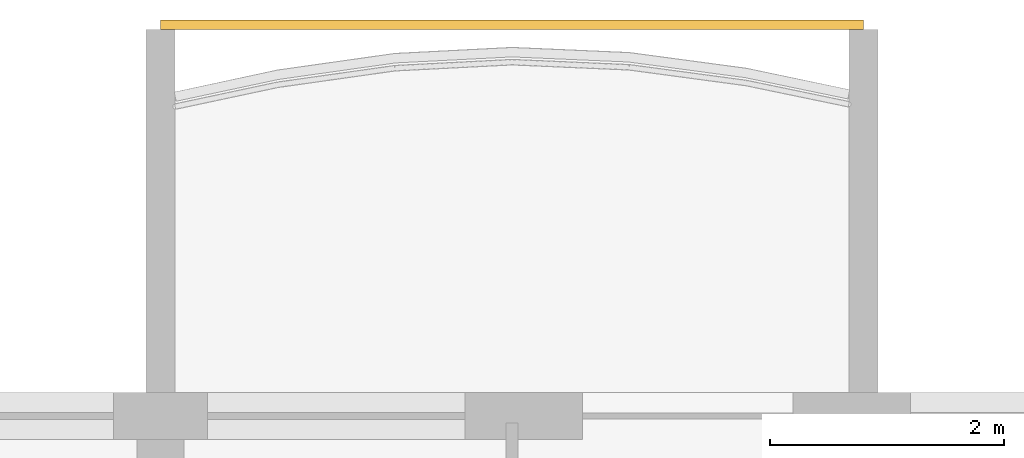
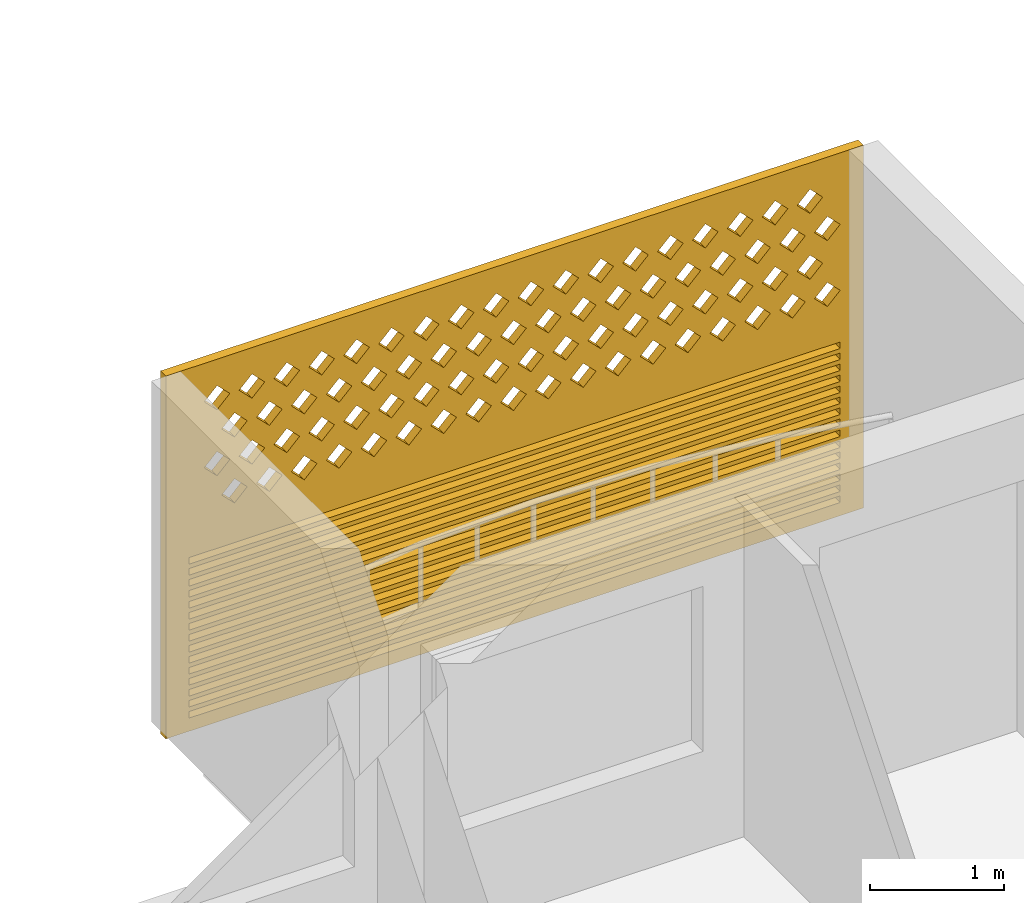
# One storey, part 25 of 38: 1 covering.
"""IFC4 building model written with IfcOpenShell, lengths in metres."""

import ifcopenshell
import ifcopenshell.guid

model = None  # the IFC model being written
_history = None  # IfcOwnerHistory: only IFC2X3 demands one
_inside = {}  # id of a spatial element -> (the spatial element, [elements in it])
_under = {}  # id of a project, library or spatial element -> (it, [spatial elements below it])
_declared = {}  # id of a project -> (the project, [libraries it declares])
_typed = {}  # id of a type object -> (the type object, [elements of that type])
_made_of = {}  # id of a material, layer set ... -> (it, [elements and type objects made of it])


def new_model(schema):
    """Start an empty IFC model of exactly this schema.

    Asked for "IFC4X3", IfcOpenShell would pick the latest addendum, in which some entities
    have other attributes; the version numbers below select the first issue.
    IFC2X3 requires an IfcOwnerHistory on every rooted entity: one is made here for all.
    """
    global model, _history
    if schema == "IFC4X3":
        model = ifcopenshell.file(schema_version=(4, 3, 0, 0))
    else:
        model = ifcopenshell.file(schema=schema)
    _inside.clear()
    _under.clear()
    _declared.clear()
    _typed.clear()
    _made_of.clear()
    _history = None
    if model.schema == "IFC2X3":
        org = make("IfcOrganization", Name="unknown")
        user = make(
            "IfcPersonAndOrganization",
            ThePerson=make("IfcPerson", FamilyName="unknown"),
            TheOrganization=org,
        )
        app = make(
            "IfcApplication",
            ApplicationDeveloper=org,
            Version="unknown",
            ApplicationFullName="unknown",
            ApplicationIdentifier="unknown",
        )
        _history = make(
            "IfcOwnerHistory",
            OwningUser=user,
            OwningApplication=app,
            ChangeAction="ADDED",
            CreationDate=0,
        )
    return model


def make(cls, **values):
    """One entity of the class cls with the attributes given. An attribute that is None is left unset."""
    return model.create_entity(
        cls, **{name: value for name, value in values.items() if value is not None}
    )


def rooted(cls, **values):
    """An entity with a GlobalId (a new one), such as an element, a storey or a relation."""
    return make(cls, GlobalId=ifcopenshell.guid.new(), OwnerHistory=_history, **values)


def si_unit(unit_type, name, prefix=None):
    """IfcSIUnit, for example si_unit("LENGTHUNIT", "METRE", prefix="MILLI")."""
    return make("IfcSIUnit", UnitType=unit_type, Prefix=prefix, Name=name)


def assignment(units):
    """IfcUnitAssignment: the units of a project."""
    return None if units is None else make("IfcUnitAssignment", Units=units)


def point(xyz):
    """IfcCartesianPoint."""
    return None if xyz is None else make("IfcCartesianPoint", Coordinates=xyz)


def direction(xyz):
    """IfcDirection."""
    return None if xyz is None else make("IfcDirection", DirectionRatios=xyz)


def frame(location, z_axis=None, x_axis=None):
    """IfcAxis2Placement3D, a coordinate frame: its origin and axes. An axis left out is left unset."""
    return make(
        "IfcAxis2Placement3D",
        Location=point(location),
        Axis=direction(z_axis),
        RefDirection=direction(x_axis),
    )


def origin():
    """The frame at (0, 0, 0) with its axes left unset."""
    return frame((0.0, 0.0, 0.0))


def place(relative_to, where):
    """IfcLocalPlacement: puts the frame where relative to a parent placement (None: the world)."""
    return make(
        "IfcLocalPlacement", PlacementRelTo=relative_to, RelativePlacement=where
    )


def context(
    kind, dimensions, precision=None, world=None, true_north=None, identifier=None
):
    """IfcGeometricRepresentationContext, for example the 3D "Model" context."""
    return make(
        "IfcGeometricRepresentationContext",
        ContextIdentifier=identifier,
        ContextType=kind,
        CoordinateSpaceDimension=dimensions,
        Precision=precision,
        WorldCoordinateSystem=world,
        TrueNorth=true_north,
    )


def subcontext(parent, identifier, kind, view, scale=None):
    """IfcGeometricRepresentationSubContext, for example "Body" below "Model"."""
    return make(
        "IfcGeometricRepresentationSubContext",
        ContextIdentifier=identifier,
        ContextType=kind,
        ParentContext=parent,
        TargetScale=scale,
        TargetView=view,
    )


def project(units=None, contexts=None):
    """IfcProject with its units and contexts."""
    return rooted(
        "IfcProject",
        Name="project",
        RepresentationContexts=contexts,
        UnitsInContext=assignment(units),
    )


def spatial(cls, under=None, at=None, **own):
    """A site, building, storey or space (cls), placed at a placement, below another one or the project."""
    s = rooted(cls, ObjectPlacement=at, **own)
    if under is not None:
        _under.setdefault(under.id(), (under, []))[1].append(s)
    return s


def polyline(points):
    """IfcPolyline through the points."""
    return make("IfcPolyline", Points=[point(p) for p in points])


def outline(outer, holes=None, kind="AREA"):
    """IfcArbitraryClosedProfileDef: a profile drawn as a closed curve; with holes, ...WithVoids."""
    if holes is None:
        return make("IfcArbitraryClosedProfileDef", ProfileType=kind, OuterCurve=outer)
    return make(
        "IfcArbitraryProfileDefWithVoids",
        ProfileType=kind,
        OuterCurve=outer,
        InnerCurves=holes,
    )


def extrude(swept, where, along, depth):
    """IfcExtrudedAreaSolid: the profile swept, set in the frame where, extruded along a direction by depth."""
    return make(
        "IfcExtrudedAreaSolid",
        SweptArea=swept,
        Position=where,
        ExtrudedDirection=direction(along),
        Depth=depth,
    )


def shape(context_of_items, identifier, shape_type, items):
    """IfcShapeRepresentation: the items that make up one representation, for example the "Body"."""
    return make(
        "IfcShapeRepresentation",
        ContextOfItems=context_of_items,
        RepresentationIdentifier=identifier,
        RepresentationType=shape_type,
        Items=items,
    )


def source(mapping_origin, context_of_items, identifier, shape_type, items):
    """IfcRepresentationMap: a shape defined once, which mapped items show again and again."""
    return make(
        "IfcRepresentationMap",
        MappingOrigin=mapping_origin,
        MappedRepresentation=shape(context_of_items, identifier, shape_type, items),
    )


def transform(
    local_origin,
    x_axis=None,
    y_axis=None,
    z_axis=None,
    scale=None,
    scale2=None,
    scale3=None,
    uniform=True,
):
    """IfcCartesianTransformationOperator3D, or its non-uniform kind. x_axis, y_axis, z_axis: its Axis1, 2, 3."""
    if uniform:
        return make(
            "IfcCartesianTransformationOperator3D",
            Axis1=direction(x_axis),
            Axis2=direction(y_axis),
            LocalOrigin=point(local_origin),
            Scale=scale,
            Axis3=direction(z_axis),
        )
    return make(
        "IfcCartesianTransformationOperator3DnonUniform",
        Axis1=direction(x_axis),
        Axis2=direction(y_axis),
        LocalOrigin=point(local_origin),
        Scale=scale,
        Axis3=direction(z_axis),
        Scale2=scale2,
        Scale3=scale3,
    )


def mapped(mapping_source, mapping_target):
    """IfcMappedItem: shows the shape of a source again, moved by a transform."""
    return make(
        "IfcMappedItem", MappingSource=mapping_source, MappingTarget=mapping_target
    )


def material(Name=None, Category=None):
    """IfcMaterial."""
    return make("IfcMaterial", Name=Name, Category=Category)


def material_profile(
    of_material, cross_section, Name=None, Category=None, Priority=None
):
    """IfcMaterialProfile: a cross section and its material."""
    return make(
        "IfcMaterialProfile",
        Name=Name,
        Material=of_material,
        Profile=cross_section,
        Priority=Priority,
        Category=Category,
    )


def profile_set(profiles, Name=None, composite=None):
    """IfcMaterialProfileSet."""
    return make(
        "IfcMaterialProfileSet",
        Name=Name,
        MaterialProfiles=profiles,
        CompositeProfile=composite,
    )


def made_of(thing, what):
    """Note that an element or type object is made of a material, layer set ...; save() writes the relation."""
    if what is not None:
        _made_of.setdefault(what.id(), (what, []))[1].append(thing)
    return thing


def type_object(cls, material=None, **own):
    """A type object (cls), such as IfcWallType, which elements share."""
    return made_of(rooted(cls, **own), material)


def element(
    cls,
    number,
    at=None,
    inside=None,
    cuts=None,
    type_object=None,
    material=None,
    context=None,
    identifier="Body",
    shape_type=None,
    held_by="IfcProductDefinitionShape",
    body=None,
    shapes=None,
    **own,
):
    """One element of the class cls, such as IfcWall. Its Tag is "e" and its number.

    at: its placement. inside: the storey or other place that contains it. cuts: it is an
    opening in that element (IfcRelVoidsElement). A single representation is given by context,
    identifier, shape_type and body (its items); several are given by shapes. held_by: the class
    of the entity that holds the representations. save() writes the other relations.
    """
    e = rooted(cls, Tag="e%d" % number, ObjectPlacement=at, **own)
    if body is not None:
        shapes = [shape(context, identifier, shape_type, body)]
    if shapes is not None:
        e.Representation = make(held_by, Representations=shapes)
    if inside is not None:
        _inside.setdefault(inside.id(), (inside, []))[1].append(e)
    if cuts is not None:
        rooted(
            "IfcRelVoidsElement", RelatingBuildingElement=cuts, RelatedOpeningElement=e
        )
    if type_object is not None:
        _typed.setdefault(type_object.id(), (type_object, []))[1].append(e)
    return made_of(e, material)


def aggregate(whole, parts):
    """IfcRelAggregates: a whole, such as a stair, and the parts it consists of."""
    return rooted("IfcRelAggregates", RelatingObject=whole, RelatedObjects=parts)


def save(model, path):
    """Write the relations noted so far, then the file.

    IfcRelAggregates (storeys below a building ...), IfcRelContainedInSpatialStructure (elements
    in a storey), IfcRelDefinesByType, IfcRelAssociatesMaterial and IfcRelDeclares: one each for
    every whole, place, type object, material and project.
    """
    for whole, parts in _under.values():
        aggregate(whole, parts)
    for where, things in _inside.values():
        rooted(
            "IfcRelContainedInSpatialStructure",
            RelatedElements=things,
            RelatingStructure=where,
        )
    for kind, things in _typed.values():
        rooted("IfcRelDefinesByType", RelatedObjects=things, RelatingType=kind)
    for what, things in _made_of.values():
        rooted("IfcRelAssociatesMaterial", RelatedObjects=things, RelatingMaterial=what)
    for by, libraries in _declared.values():
        rooted("IfcRelDeclares", RelatingContext=by, RelatedDefinitions=libraries)
    model.write(path)


model = new_model("IFC4")

# Units and contexts
model_context = context("Model", 3, precision=1e-05, world=origin(), true_north=direction((0.0, 1.0)))
body_context = subcontext(model_context, "Body", "Model", "MODEL_VIEW")
ifc_project = project(units=[si_unit("LENGTHUNIT", "METRE"), si_unit("AREAUNIT", "SQUARE_METRE"), si_unit("VOLUMEUNIT", "CUBIC_METRE"), si_unit("PLANEANGLEUNIT", "RADIAN"), si_unit("MASSUNIT", "GRAM", prefix="KILO")], contexts=[model_context])

# Site, building, storey
site_placement = place(None, origin())
site = spatial("IfcSite", under=ifc_project, at=site_placement, CompositionType="ELEMENT")
building_placement = place(site_placement, origin())
building = spatial("IfcBuilding", under=site, at=building_placement, Name="Poui Terraces", CompositionType="ELEMENT")
storey_placement = place(building_placement, frame((0.0, 0.0, 49.800048828125)))
storey = spatial("IfcBuildingStorey", under=building, at=storey_placement, Name="L13", CompositionType="ELEMENT", Elevation=49.800048828125)

# Covering
ifc_material = material(Name="Terracotta screen", Category="masonry")
ifc_material_profile = material_profile(ifc_material, outline(polyline([(-3.0, -1.64990234375), (3.0, -1.64990234375), (3.0, 1.64990234375), (-3.0, 1.64990234375), (-3.0, -1.64990234375)]), holes=[polyline([(-2.800048828125, 0.39990234375), (-2.68994140625, 0.2900390625), (-2.580078125, 0.39990234375), (-2.68994140625, 0.510009765625), (-2.800048828125, 0.39990234375)]), polyline([(-2.5, 0.39990234375), (-2.389892578125, 0.2900390625), (-2.280029296875, 0.39990234375), (-2.389892578125, 0.510009765625), (-2.5, 0.39990234375)]), polyline([(-2.199951171875, 0.39990234375), (-2.090087890625, 0.2900390625), (-1.97998046875, 0.39990234375), (-2.090087890625, 0.510009765625), (-2.199951171875, 0.39990234375)]), polyline([(-1.89990234375, 0.39990234375), (-1.7900390625, 0.2900390625), (-1.679931640625, 0.39990234375), (-1.7900390625, 0.510009765625), (-1.89990234375, 0.39990234375)]), polyline([(-1.60009765625, 0.39990234375), (-1.489990234375, 0.2900390625), (-1.3798828125, 0.39990234375), (-1.489990234375, 0.510009765625), (-1.60009765625, 0.39990234375)]), polyline([(-1.300048828125, 0.39990234375), (-1.18994140625, 0.2900390625), (-1.080078125, 0.39990234375), (-1.18994140625, 0.510009765625), (-1.300048828125, 0.39990234375)]), polyline([(-1.0, 0.39990234375), (-0.889892578125, 0.2900390625), (-0.780029296875, 0.39990234375), (-0.889892578125, 0.510009765625), (-1.0, 0.39990234375)]), polyline([(-0.699951171875, 0.39990234375), (-0.590087890625, 0.2900390625), (-0.47998046875, 0.39990234375), (-0.590087890625, 0.510009765625), (-0.699951171875, 0.39990234375)]), polyline([(-0.39990234375, 0.39990234375), (-0.2900390625, 0.2900390625), (-0.179931640625, 0.39990234375), (-0.2900390625, 0.510009765625), (-0.39990234375, 0.39990234375)]), polyline([(-0.10009765625, 0.39990234375), (0.010009765625, 0.2900390625), (0.1201171875, 0.39990234375), (0.010009765625, 0.510009765625), (-0.10009765625, 0.39990234375)]), polyline([(0.199951171875, 0.39990234375), (0.31005859375, 0.2900390625), (0.419921875, 0.39990234375), (0.31005859375, 0.510009765625), (0.199951171875, 0.39990234375)]), polyline([(0.5, 0.39990234375), (0.610107421875, 0.2900390625), (0.719970703125, 0.39990234375), (0.610107421875, 0.510009765625), (0.5, 0.39990234375)]), polyline([(0.800048828125, 0.39990234375), (0.909912109375, 0.2900390625), (1.02001953125, 0.39990234375), (0.909912109375, 0.510009765625), (0.800048828125, 0.39990234375)]), polyline([(1.10009765625, 0.39990234375), (1.2099609375, 0.2900390625), (1.320068359375, 0.39990234375), (1.2099609375, 0.510009765625), (1.10009765625, 0.39990234375)]), polyline([(1.39990234375, 0.39990234375), (1.510009765625, 0.2900390625), (1.6201171875, 0.39990234375), (1.510009765625, 0.510009765625), (1.39990234375, 0.39990234375)]), polyline([(1.699951171875, 0.39990234375), (1.81005859375, 0.2900390625), (1.919921875, 0.39990234375), (1.81005859375, 0.510009765625), (1.699951171875, 0.39990234375)]), polyline([(2.0, 0.39990234375), (2.110107421875, 0.2900390625), (2.219970703125, 0.39990234375), (2.110107421875, 0.510009765625), (2.0, 0.39990234375)]), polyline([(2.300048828125, 0.39990234375), (2.409912109375, 0.2900390625), (2.52001953125, 0.39990234375), (2.409912109375, 0.510009765625), (2.300048828125, 0.39990234375)]), polyline([(-2.64990234375, 0.699951171875), (-2.5400390625, 0.590087890625), (-2.429931640625, 0.699951171875), (-2.5400390625, 0.81005859375), (-2.64990234375, 0.699951171875)]), polyline([(-2.35009765625, 0.699951171875), (-2.239990234375, 0.590087890625), (-2.1298828125, 0.699951171875), (-2.239990234375, 0.81005859375), (-2.35009765625, 0.699951171875)]), polyline([(-2.050048828125, 0.699951171875), (-1.93994140625, 0.590087890625), (-1.830078125, 0.699951171875), (-1.93994140625, 0.81005859375), (-2.050048828125, 0.699951171875)]), polyline([(-1.75, 0.699951171875), (-1.639892578125, 0.590087890625), (-1.530029296875, 0.699951171875), (-1.639892578125, 0.81005859375), (-1.75, 0.699951171875)]), polyline([(-1.449951171875, 0.699951171875), (-1.340087890625, 0.590087890625), (-1.22998046875, 0.699951171875), (-1.340087890625, 0.81005859375), (-1.449951171875, 0.699951171875)]), polyline([(-1.14990234375, 0.699951171875), (-1.0400390625, 0.590087890625), (-0.929931640625, 0.699951171875), (-1.0400390625, 0.81005859375), (-1.14990234375, 0.699951171875)]), polyline([(-0.85009765625, 0.699951171875), (-0.739990234375, 0.590087890625), (-0.6298828125, 0.699951171875), (-0.739990234375, 0.81005859375), (-0.85009765625, 0.699951171875)]), polyline([(-0.550048828125, 0.699951171875), (-0.43994140625, 0.590087890625), (-0.330078125, 0.699951171875), (-0.43994140625, 0.81005859375), (-0.550048828125, 0.699951171875)]), polyline([(-0.25, 0.699951171875), (-0.139892578125, 0.590087890625), (-0.030029296875, 0.699951171875), (-0.139892578125, 0.81005859375), (-0.25, 0.699951171875)]), polyline([(0.050048828125, 0.699951171875), (0.159912109375, 0.590087890625), (0.27001953125, 0.699951171875), (0.159912109375, 0.81005859375), (0.050048828125, 0.699951171875)]), polyline([(0.35009765625, 0.699951171875), (0.4599609375, 0.590087890625), (0.570068359375, 0.699951171875), (0.4599609375, 0.81005859375), (0.35009765625, 0.699951171875)]), polyline([(0.64990234375, 0.699951171875), (0.760009765625, 0.590087890625), (0.8701171875, 0.699951171875), (0.760009765625, 0.81005859375), (0.64990234375, 0.699951171875)]), polyline([(0.949951171875, 0.699951171875), (1.06005859375, 0.590087890625), (1.169921875, 0.699951171875), (1.06005859375, 0.81005859375), (0.949951171875, 0.699951171875)]), polyline([(1.25, 0.699951171875), (1.360107421875, 0.590087890625), (1.469970703125, 0.699951171875), (1.360107421875, 0.81005859375), (1.25, 0.699951171875)]), polyline([(1.550048828125, 0.699951171875), (1.659912109375, 0.590087890625), (1.77001953125, 0.699951171875), (1.659912109375, 0.81005859375), (1.550048828125, 0.699951171875)]), polyline([(1.85009765625, 0.699951171875), (1.9599609375, 0.590087890625), (2.070068359375, 0.699951171875), (1.9599609375, 0.81005859375), (1.85009765625, 0.699951171875)]), polyline([(2.14990234375, 0.699951171875), (2.260009765625, 0.590087890625), (2.3701171875, 0.699951171875), (2.260009765625, 0.81005859375), (2.14990234375, 0.699951171875)]), polyline([(2.449951171875, 0.699951171875), (2.56005859375, 0.590087890625), (2.669921875, 0.699951171875), (2.56005859375, 0.81005859375), (2.449951171875, 0.699951171875)]), polyline([(-2.800048828125, 1.0), (-2.68994140625, 0.889892578125), (-2.580078125, 1.0), (-2.68994140625, 1.110107421875), (-2.800048828125, 1.0)]), polyline([(-2.5, 1.0), (-2.389892578125, 0.889892578125), (-2.280029296875, 1.0), (-2.389892578125, 1.110107421875), (-2.5, 1.0)]), polyline([(-2.199951171875, 1.0), (-2.090087890625, 0.889892578125), (-1.97998046875, 1.0), (-2.090087890625, 1.110107421875), (-2.199951171875, 1.0)]), polyline([(-1.89990234375, 1.0), (-1.7900390625, 0.889892578125), (-1.679931640625, 1.0), (-1.7900390625, 1.110107421875), (-1.89990234375, 1.0)]), polyline([(-1.60009765625, 1.0), (-1.489990234375, 0.889892578125), (-1.3798828125, 1.0), (-1.489990234375, 1.110107421875), (-1.60009765625, 1.0)]), polyline([(-1.300048828125, 1.0), (-1.18994140625, 0.889892578125), (-1.080078125, 1.0), (-1.18994140625, 1.110107421875), (-1.300048828125, 1.0)]), polyline([(-1.0, 1.0), (-0.889892578125, 0.889892578125), (-0.780029296875, 1.0), (-0.889892578125, 1.110107421875), (-1.0, 1.0)]), polyline([(-0.699951171875, 1.0), (-0.590087890625, 0.889892578125), (-0.47998046875, 1.0), (-0.590087890625, 1.110107421875), (-0.699951171875, 1.0)]), polyline([(-0.39990234375, 1.0), (-0.2900390625, 0.889892578125), (-0.179931640625, 1.0), (-0.2900390625, 1.110107421875), (-0.39990234375, 1.0)]), polyline([(-0.10009765625, 1.0), (0.010009765625, 0.889892578125), (0.1201171875, 1.0), (0.010009765625, 1.110107421875), (-0.10009765625, 1.0)]), polyline([(0.199951171875, 1.0), (0.31005859375, 0.889892578125), (0.419921875, 1.0), (0.31005859375, 1.110107421875), (0.199951171875, 1.0)]), polyline([(0.5, 1.0), (0.610107421875, 0.889892578125), (0.719970703125, 1.0), (0.610107421875, 1.110107421875), (0.5, 1.0)]), polyline([(0.800048828125, 1.0), (0.909912109375, 0.889892578125), (1.02001953125, 1.0), (0.909912109375, 1.110107421875), (0.800048828125, 1.0)]), polyline([(1.10009765625, 1.0), (1.2099609375, 0.889892578125), (1.320068359375, 1.0), (1.2099609375, 1.110107421875), (1.10009765625, 1.0)]), polyline([(1.39990234375, 1.0), (1.510009765625, 0.889892578125), (1.6201171875, 1.0), (1.510009765625, 1.110107421875), (1.39990234375, 1.0)]), polyline([(1.699951171875, 1.0), (1.81005859375, 0.889892578125), (1.919921875, 1.0), (1.81005859375, 1.110107421875), (1.699951171875, 1.0)]), polyline([(2.0, 1.0), (2.110107421875, 0.889892578125), (2.219970703125, 1.0), (2.110107421875, 1.110107421875), (2.0, 1.0)]), polyline([(2.300048828125, 1.0), (2.409912109375, 0.889892578125), (2.52001953125, 1.0), (2.409912109375, 1.110107421875), (2.300048828125, 1.0)]), polyline([(-2.64990234375, 1.300048828125), (-2.5400390625, 1.18994140625), (-2.429931640625, 1.300048828125), (-2.5400390625, 1.409912109375), (-2.64990234375, 1.300048828125)]), polyline([(-2.35009765625, 1.300048828125), (-2.239990234375, 1.18994140625), (-2.1298828125, 1.300048828125), (-2.239990234375, 1.409912109375), (-2.35009765625, 1.300048828125)]), polyline([(-2.050048828125, 1.300048828125), (-1.93994140625, 1.18994140625), (-1.830078125, 1.300048828125), (-1.93994140625, 1.409912109375), (-2.050048828125, 1.300048828125)]), polyline([(-1.75, 1.300048828125), (-1.639892578125, 1.18994140625), (-1.530029296875, 1.300048828125), (-1.639892578125, 1.409912109375), (-1.75, 1.300048828125)]), polyline([(-1.449951171875, 1.300048828125), (-1.340087890625, 1.18994140625), (-1.22998046875, 1.300048828125), (-1.340087890625, 1.409912109375), (-1.449951171875, 1.300048828125)]), polyline([(-1.14990234375, 1.300048828125), (-1.0400390625, 1.18994140625), (-0.929931640625, 1.300048828125), (-1.0400390625, 1.409912109375), (-1.14990234375, 1.300048828125)]), polyline([(-0.85009765625, 1.300048828125), (-0.739990234375, 1.18994140625), (-0.6298828125, 1.300048828125), (-0.739990234375, 1.409912109375), (-0.85009765625, 1.300048828125)]), polyline([(-0.550048828125, 1.300048828125), (-0.43994140625, 1.18994140625), (-0.330078125, 1.300048828125), (-0.43994140625, 1.409912109375), (-0.550048828125, 1.300048828125)]), polyline([(-0.25, 1.300048828125), (-0.139892578125, 1.18994140625), (-0.030029296875, 1.300048828125), (-0.139892578125, 1.409912109375), (-0.25, 1.300048828125)]), polyline([(0.050048828125, 1.300048828125), (0.159912109375, 1.18994140625), (0.27001953125, 1.300048828125), (0.159912109375, 1.409912109375), (0.050048828125, 1.300048828125)]), polyline([(0.35009765625, 1.300048828125), (0.4599609375, 1.18994140625), (0.570068359375, 1.300048828125), (0.4599609375, 1.409912109375), (0.35009765625, 1.300048828125)]), polyline([(0.64990234375, 1.300048828125), (0.760009765625, 1.18994140625), (0.8701171875, 1.300048828125), (0.760009765625, 1.409912109375), (0.64990234375, 1.300048828125)]), polyline([(0.949951171875, 1.300048828125), (1.06005859375, 1.18994140625), (1.169921875, 1.300048828125), (1.06005859375, 1.409912109375), (0.949951171875, 1.300048828125)]), polyline([(1.25, 1.300048828125), (1.360107421875, 1.18994140625), (1.469970703125, 1.300048828125), (1.360107421875, 1.409912109375), (1.25, 1.300048828125)]), polyline([(1.550048828125, 1.300048828125), (1.659912109375, 1.18994140625), (1.77001953125, 1.300048828125), (1.659912109375, 1.409912109375), (1.550048828125, 1.300048828125)]), polyline([(1.85009765625, 1.300048828125), (1.9599609375, 1.18994140625), (2.070068359375, 1.300048828125), (1.9599609375, 1.409912109375), (1.85009765625, 1.300048828125)]), polyline([(2.14990234375, 1.300048828125), (2.260009765625, 1.18994140625), (2.3701171875, 1.300048828125), (2.260009765625, 1.409912109375), (2.14990234375, 1.300048828125)]), polyline([(2.449951171875, 1.300048828125), (2.56005859375, 1.18994140625), (2.669921875, 1.300048828125), (2.56005859375, 1.409912109375), (2.449951171875, 1.300048828125)]), polyline([(-2.800048828125, -1.530029296875), (2.800048828125, -1.530029296875), (2.800048828125, -1.469970703125), (-2.800048828125, -1.469970703125), (-2.800048828125, -1.530029296875)]), polyline([(-2.800048828125, -1.429931640625), (2.800048828125, -1.429931640625), (2.800048828125, -1.3701171875), (-2.800048828125, -1.3701171875), (-2.800048828125, -1.429931640625)]), polyline([(-2.800048828125, -1.330078125), (2.800048828125, -1.330078125), (2.800048828125, -1.27001953125), (-2.800048828125, -1.27001953125), (-2.800048828125, -1.330078125)]), polyline([(-2.800048828125, -1.22998046875), (2.800048828125, -1.22998046875), (2.800048828125, -1.169921875), (-2.800048828125, -1.169921875), (-2.800048828125, -1.22998046875)]), polyline([(-2.800048828125, -1.1298828125), (2.800048828125, -1.1298828125), (2.800048828125, -1.070068359375), (-2.800048828125, -1.070068359375), (-2.800048828125, -1.1298828125)]), polyline([(-2.800048828125, -1.030029296875), (2.800048828125, -1.030029296875), (2.800048828125, -0.969970703125), (-2.800048828125, -0.969970703125), (-2.800048828125, -1.030029296875)]), polyline([(-2.800048828125, -0.929931640625), (2.800048828125, -0.929931640625), (2.800048828125, -0.8701171875), (-2.800048828125, -0.8701171875), (-2.800048828125, -0.929931640625)]), polyline([(-2.800048828125, -0.830078125), (2.800048828125, -0.830078125), (2.800048828125, -0.77001953125), (-2.800048828125, -0.77001953125), (-2.800048828125, -0.830078125)]), polyline([(-2.800048828125, -0.72998046875), (2.800048828125, -0.72998046875), (2.800048828125, -0.669921875), (-2.800048828125, -0.669921875), (-2.800048828125, -0.72998046875)]), polyline([(-2.800048828125, -0.6298828125), (2.800048828125, -0.6298828125), (2.800048828125, -0.570068359375), (-2.800048828125, -0.570068359375), (-2.800048828125, -0.6298828125)]), polyline([(-2.800048828125, -0.530029296875), (2.800048828125, -0.530029296875), (2.800048828125, -0.469970703125), (-2.800048828125, -0.469970703125), (-2.800048828125, -0.530029296875)]), polyline([(-2.800048828125, -0.429931640625), (2.800048828125, -0.429931640625), (2.800048828125, -0.3701171875), (-2.800048828125, -0.3701171875), (-2.800048828125, -0.429931640625)]), polyline([(-2.800048828125, -0.330078125), (2.800048828125, -0.330078125), (2.800048828125, -0.27001953125), (-2.800048828125, -0.27001953125), (-2.800048828125, -0.330078125)]), polyline([(-2.800048828125, -0.22998046875), (2.800048828125, -0.22998046875), (2.800048828125, -0.169921875), (-2.800048828125, -0.169921875), (-2.800048828125, -0.22998046875)]), polyline([(-2.800048828125, -0.1298828125), (2.800048828125, -0.1298828125), (2.800048828125, -0.070068359375), (-2.800048828125, -0.070068359375), (-2.800048828125, -0.1298828125)])]), Name="TERRACOTTA SCREEN AND JALOUSIE LOUVRE 6000X3300")
ifc_profile_set = profile_set([ifc_material_profile], Name="Terracotta screen")
covering_type = type_object("IfcCoveringType", Name="TERRACOTTA SCREEN AND JALOUSIE LOUVRE 6000X3300", PredefinedType="CLADDING", material=ifc_profile_set)
shared_shape = source(origin(), body_context, "Body", "SweptSolid", [
    extrude(outline(polyline([(-3.0, -1.64990234375), (3.0, -1.64990234375), (3.0, 1.64990234375), (-3.0, 1.64990234375), (-3.0, -1.64990234375)]), holes=[polyline([(-2.800048828125, 0.39990234375), (-2.68994140625, 0.2900390625), (-2.580078125, 0.39990234375), (-2.68994140625, 0.510009765625), (-2.800048828125, 0.39990234375)]), polyline([(-2.5, 0.39990234375), (-2.389892578125, 0.2900390625), (-2.280029296875, 0.39990234375), (-2.389892578125, 0.510009765625), (-2.5, 0.39990234375)]), polyline([(-2.199951171875, 0.39990234375), (-2.090087890625, 0.2900390625), (-1.97998046875, 0.39990234375), (-2.090087890625, 0.510009765625), (-2.199951171875, 0.39990234375)]), polyline([(-1.89990234375, 0.39990234375), (-1.7900390625, 0.2900390625), (-1.679931640625, 0.39990234375), (-1.7900390625, 0.510009765625), (-1.89990234375, 0.39990234375)]), polyline([(-1.60009765625, 0.39990234375), (-1.489990234375, 0.2900390625), (-1.3798828125, 0.39990234375), (-1.489990234375, 0.510009765625), (-1.60009765625, 0.39990234375)]), polyline([(-1.300048828125, 0.39990234375), (-1.18994140625, 0.2900390625), (-1.080078125, 0.39990234375), (-1.18994140625, 0.510009765625), (-1.300048828125, 0.39990234375)]), polyline([(-1.0, 0.39990234375), (-0.889892578125, 0.2900390625), (-0.780029296875, 0.39990234375), (-0.889892578125, 0.510009765625), (-1.0, 0.39990234375)]), polyline([(-0.699951171875, 0.39990234375), (-0.590087890625, 0.2900390625), (-0.47998046875, 0.39990234375), (-0.590087890625, 0.510009765625), (-0.699951171875, 0.39990234375)]), polyline([(-0.39990234375, 0.39990234375), (-0.2900390625, 0.2900390625), (-0.179931640625, 0.39990234375), (-0.2900390625, 0.510009765625), (-0.39990234375, 0.39990234375)]), polyline([(-0.10009765625, 0.39990234375), (0.010009765625, 0.2900390625), (0.1201171875, 0.39990234375), (0.010009765625, 0.510009765625), (-0.10009765625, 0.39990234375)]), polyline([(0.199951171875, 0.39990234375), (0.31005859375, 0.2900390625), (0.419921875, 0.39990234375), (0.31005859375, 0.510009765625), (0.199951171875, 0.39990234375)]), polyline([(0.5, 0.39990234375), (0.610107421875, 0.2900390625), (0.719970703125, 0.39990234375), (0.610107421875, 0.510009765625), (0.5, 0.39990234375)]), polyline([(0.800048828125, 0.39990234375), (0.909912109375, 0.2900390625), (1.02001953125, 0.39990234375), (0.909912109375, 0.510009765625), (0.800048828125, 0.39990234375)]), polyline([(1.10009765625, 0.39990234375), (1.2099609375, 0.2900390625), (1.320068359375, 0.39990234375), (1.2099609375, 0.510009765625), (1.10009765625, 0.39990234375)]), polyline([(1.39990234375, 0.39990234375), (1.510009765625, 0.2900390625), (1.6201171875, 0.39990234375), (1.510009765625, 0.510009765625), (1.39990234375, 0.39990234375)]), polyline([(1.699951171875, 0.39990234375), (1.81005859375, 0.2900390625), (1.919921875, 0.39990234375), (1.81005859375, 0.510009765625), (1.699951171875, 0.39990234375)]), polyline([(2.0, 0.39990234375), (2.110107421875, 0.2900390625), (2.219970703125, 0.39990234375), (2.110107421875, 0.510009765625), (2.0, 0.39990234375)]), polyline([(2.300048828125, 0.39990234375), (2.409912109375, 0.2900390625), (2.52001953125, 0.39990234375), (2.409912109375, 0.510009765625), (2.300048828125, 0.39990234375)]), polyline([(-2.64990234375, 0.699951171875), (-2.5400390625, 0.590087890625), (-2.429931640625, 0.699951171875), (-2.5400390625, 0.81005859375), (-2.64990234375, 0.699951171875)]), polyline([(-2.35009765625, 0.699951171875), (-2.239990234375, 0.590087890625), (-2.1298828125, 0.699951171875), (-2.239990234375, 0.81005859375), (-2.35009765625, 0.699951171875)]), polyline([(-2.050048828125, 0.699951171875), (-1.93994140625, 0.590087890625), (-1.830078125, 0.699951171875), (-1.93994140625, 0.81005859375), (-2.050048828125, 0.699951171875)]), polyline([(-1.75, 0.699951171875), (-1.639892578125, 0.590087890625), (-1.530029296875, 0.699951171875), (-1.639892578125, 0.81005859375), (-1.75, 0.699951171875)]), polyline([(-1.449951171875, 0.699951171875), (-1.340087890625, 0.590087890625), (-1.22998046875, 0.699951171875), (-1.340087890625, 0.81005859375), (-1.449951171875, 0.699951171875)]), polyline([(-1.14990234375, 0.699951171875), (-1.0400390625, 0.590087890625), (-0.929931640625, 0.699951171875), (-1.0400390625, 0.81005859375), (-1.14990234375, 0.699951171875)]), polyline([(-0.85009765625, 0.699951171875), (-0.739990234375, 0.590087890625), (-0.6298828125, 0.699951171875), (-0.739990234375, 0.81005859375), (-0.85009765625, 0.699951171875)]), polyline([(-0.550048828125, 0.699951171875), (-0.43994140625, 0.590087890625), (-0.330078125, 0.699951171875), (-0.43994140625, 0.81005859375), (-0.550048828125, 0.699951171875)]), polyline([(-0.25, 0.699951171875), (-0.139892578125, 0.590087890625), (-0.030029296875, 0.699951171875), (-0.139892578125, 0.81005859375), (-0.25, 0.699951171875)]), polyline([(0.050048828125, 0.699951171875), (0.159912109375, 0.590087890625), (0.27001953125, 0.699951171875), (0.159912109375, 0.81005859375), (0.050048828125, 0.699951171875)]), polyline([(0.35009765625, 0.699951171875), (0.4599609375, 0.590087890625), (0.570068359375, 0.699951171875), (0.4599609375, 0.81005859375), (0.35009765625, 0.699951171875)]), polyline([(0.64990234375, 0.699951171875), (0.760009765625, 0.590087890625), (0.8701171875, 0.699951171875), (0.760009765625, 0.81005859375), (0.64990234375, 0.699951171875)]), polyline([(0.949951171875, 0.699951171875), (1.06005859375, 0.590087890625), (1.169921875, 0.699951171875), (1.06005859375, 0.81005859375), (0.949951171875, 0.699951171875)]), polyline([(1.25, 0.699951171875), (1.360107421875, 0.590087890625), (1.469970703125, 0.699951171875), (1.360107421875, 0.81005859375), (1.25, 0.699951171875)]), polyline([(1.550048828125, 0.699951171875), (1.659912109375, 0.590087890625), (1.77001953125, 0.699951171875), (1.659912109375, 0.81005859375), (1.550048828125, 0.699951171875)]), polyline([(1.85009765625, 0.699951171875), (1.9599609375, 0.590087890625), (2.070068359375, 0.699951171875), (1.9599609375, 0.81005859375), (1.85009765625, 0.699951171875)]), polyline([(2.14990234375, 0.699951171875), (2.260009765625, 0.590087890625), (2.3701171875, 0.699951171875), (2.260009765625, 0.81005859375), (2.14990234375, 0.699951171875)]), polyline([(2.449951171875, 0.699951171875), (2.56005859375, 0.590087890625), (2.669921875, 0.699951171875), (2.56005859375, 0.81005859375), (2.449951171875, 0.699951171875)]), polyline([(-2.800048828125, 1.0), (-2.68994140625, 0.889892578125), (-2.580078125, 1.0), (-2.68994140625, 1.110107421875), (-2.800048828125, 1.0)]), polyline([(-2.5, 1.0), (-2.389892578125, 0.889892578125), (-2.280029296875, 1.0), (-2.389892578125, 1.110107421875), (-2.5, 1.0)]), polyline([(-2.199951171875, 1.0), (-2.090087890625, 0.889892578125), (-1.97998046875, 1.0), (-2.090087890625, 1.110107421875), (-2.199951171875, 1.0)]), polyline([(-1.89990234375, 1.0), (-1.7900390625, 0.889892578125), (-1.679931640625, 1.0), (-1.7900390625, 1.110107421875), (-1.89990234375, 1.0)]), polyline([(-1.60009765625, 1.0), (-1.489990234375, 0.889892578125), (-1.3798828125, 1.0), (-1.489990234375, 1.110107421875), (-1.60009765625, 1.0)]), polyline([(-1.300048828125, 1.0), (-1.18994140625, 0.889892578125), (-1.080078125, 1.0), (-1.18994140625, 1.110107421875), (-1.300048828125, 1.0)]), polyline([(-1.0, 1.0), (-0.889892578125, 0.889892578125), (-0.780029296875, 1.0), (-0.889892578125, 1.110107421875), (-1.0, 1.0)]), polyline([(-0.699951171875, 1.0), (-0.590087890625, 0.889892578125), (-0.47998046875, 1.0), (-0.590087890625, 1.110107421875), (-0.699951171875, 1.0)]), polyline([(-0.39990234375, 1.0), (-0.2900390625, 0.889892578125), (-0.179931640625, 1.0), (-0.2900390625, 1.110107421875), (-0.39990234375, 1.0)]), polyline([(-0.10009765625, 1.0), (0.010009765625, 0.889892578125), (0.1201171875, 1.0), (0.010009765625, 1.110107421875), (-0.10009765625, 1.0)]), polyline([(0.199951171875, 1.0), (0.31005859375, 0.889892578125), (0.419921875, 1.0), (0.31005859375, 1.110107421875), (0.199951171875, 1.0)]), polyline([(0.5, 1.0), (0.610107421875, 0.889892578125), (0.719970703125, 1.0), (0.610107421875, 1.110107421875), (0.5, 1.0)]), polyline([(0.800048828125, 1.0), (0.909912109375, 0.889892578125), (1.02001953125, 1.0), (0.909912109375, 1.110107421875), (0.800048828125, 1.0)]), polyline([(1.10009765625, 1.0), (1.2099609375, 0.889892578125), (1.320068359375, 1.0), (1.2099609375, 1.110107421875), (1.10009765625, 1.0)]), polyline([(1.39990234375, 1.0), (1.510009765625, 0.889892578125), (1.6201171875, 1.0), (1.510009765625, 1.110107421875), (1.39990234375, 1.0)]), polyline([(1.699951171875, 1.0), (1.81005859375, 0.889892578125), (1.919921875, 1.0), (1.81005859375, 1.110107421875), (1.699951171875, 1.0)]), polyline([(2.0, 1.0), (2.110107421875, 0.889892578125), (2.219970703125, 1.0), (2.110107421875, 1.110107421875), (2.0, 1.0)]), polyline([(2.300048828125, 1.0), (2.409912109375, 0.889892578125), (2.52001953125, 1.0), (2.409912109375, 1.110107421875), (2.300048828125, 1.0)]), polyline([(-2.64990234375, 1.300048828125), (-2.5400390625, 1.18994140625), (-2.429931640625, 1.300048828125), (-2.5400390625, 1.409912109375), (-2.64990234375, 1.300048828125)]), polyline([(-2.35009765625, 1.300048828125), (-2.239990234375, 1.18994140625), (-2.1298828125, 1.300048828125), (-2.239990234375, 1.409912109375), (-2.35009765625, 1.300048828125)]), polyline([(-2.050048828125, 1.300048828125), (-1.93994140625, 1.18994140625), (-1.830078125, 1.300048828125), (-1.93994140625, 1.409912109375), (-2.050048828125, 1.300048828125)]), polyline([(-1.75, 1.300048828125), (-1.639892578125, 1.18994140625), (-1.530029296875, 1.300048828125), (-1.639892578125, 1.409912109375), (-1.75, 1.300048828125)]), polyline([(-1.449951171875, 1.300048828125), (-1.340087890625, 1.18994140625), (-1.22998046875, 1.300048828125), (-1.340087890625, 1.409912109375), (-1.449951171875, 1.300048828125)]), polyline([(-1.14990234375, 1.300048828125), (-1.0400390625, 1.18994140625), (-0.929931640625, 1.300048828125), (-1.0400390625, 1.409912109375), (-1.14990234375, 1.300048828125)]), polyline([(-0.85009765625, 1.300048828125), (-0.739990234375, 1.18994140625), (-0.6298828125, 1.300048828125), (-0.739990234375, 1.409912109375), (-0.85009765625, 1.300048828125)]), polyline([(-0.550048828125, 1.300048828125), (-0.43994140625, 1.18994140625), (-0.330078125, 1.300048828125), (-0.43994140625, 1.409912109375), (-0.550048828125, 1.300048828125)]), polyline([(-0.25, 1.300048828125), (-0.139892578125, 1.18994140625), (-0.030029296875, 1.300048828125), (-0.139892578125, 1.409912109375), (-0.25, 1.300048828125)]), polyline([(0.050048828125, 1.300048828125), (0.159912109375, 1.18994140625), (0.27001953125, 1.300048828125), (0.159912109375, 1.409912109375), (0.050048828125, 1.300048828125)]), polyline([(0.35009765625, 1.300048828125), (0.4599609375, 1.18994140625), (0.570068359375, 1.300048828125), (0.4599609375, 1.409912109375), (0.35009765625, 1.300048828125)]), polyline([(0.64990234375, 1.300048828125), (0.760009765625, 1.18994140625), (0.8701171875, 1.300048828125), (0.760009765625, 1.409912109375), (0.64990234375, 1.300048828125)]), polyline([(0.949951171875, 1.300048828125), (1.06005859375, 1.18994140625), (1.169921875, 1.300048828125), (1.06005859375, 1.409912109375), (0.949951171875, 1.300048828125)]), polyline([(1.25, 1.300048828125), (1.360107421875, 1.18994140625), (1.469970703125, 1.300048828125), (1.360107421875, 1.409912109375), (1.25, 1.300048828125)]), polyline([(1.550048828125, 1.300048828125), (1.659912109375, 1.18994140625), (1.77001953125, 1.300048828125), (1.659912109375, 1.409912109375), (1.550048828125, 1.300048828125)]), polyline([(1.85009765625, 1.300048828125), (1.9599609375, 1.18994140625), (2.070068359375, 1.300048828125), (1.9599609375, 1.409912109375), (1.85009765625, 1.300048828125)]), polyline([(2.14990234375, 1.300048828125), (2.260009765625, 1.18994140625), (2.3701171875, 1.300048828125), (2.260009765625, 1.409912109375), (2.14990234375, 1.300048828125)]), polyline([(2.449951171875, 1.300048828125), (2.56005859375, 1.18994140625), (2.669921875, 1.300048828125), (2.56005859375, 1.409912109375), (2.449951171875, 1.300048828125)]), polyline([(-2.800048828125, -1.530029296875), (2.800048828125, -1.530029296875), (2.800048828125, -1.469970703125), (-2.800048828125, -1.469970703125), (-2.800048828125, -1.530029296875)]), polyline([(-2.800048828125, -1.429931640625), (2.800048828125, -1.429931640625), (2.800048828125, -1.3701171875), (-2.800048828125, -1.3701171875), (-2.800048828125, -1.429931640625)]), polyline([(-2.800048828125, -1.330078125), (2.800048828125, -1.330078125), (2.800048828125, -1.27001953125), (-2.800048828125, -1.27001953125), (-2.800048828125, -1.330078125)]), polyline([(-2.800048828125, -1.22998046875), (2.800048828125, -1.22998046875), (2.800048828125, -1.169921875), (-2.800048828125, -1.169921875), (-2.800048828125, -1.22998046875)]), polyline([(-2.800048828125, -1.1298828125), (2.800048828125, -1.1298828125), (2.800048828125, -1.070068359375), (-2.800048828125, -1.070068359375), (-2.800048828125, -1.1298828125)]), polyline([(-2.800048828125, -1.030029296875), (2.800048828125, -1.030029296875), (2.800048828125, -0.969970703125), (-2.800048828125, -0.969970703125), (-2.800048828125, -1.030029296875)]), polyline([(-2.800048828125, -0.929931640625), (2.800048828125, -0.929931640625), (2.800048828125, -0.8701171875), (-2.800048828125, -0.8701171875), (-2.800048828125, -0.929931640625)]), polyline([(-2.800048828125, -0.830078125), (2.800048828125, -0.830078125), (2.800048828125, -0.77001953125), (-2.800048828125, -0.77001953125), (-2.800048828125, -0.830078125)]), polyline([(-2.800048828125, -0.72998046875), (2.800048828125, -0.72998046875), (2.800048828125, -0.669921875), (-2.800048828125, -0.669921875), (-2.800048828125, -0.72998046875)]), polyline([(-2.800048828125, -0.6298828125), (2.800048828125, -0.6298828125), (2.800048828125, -0.570068359375), (-2.800048828125, -0.570068359375), (-2.800048828125, -0.6298828125)]), polyline([(-2.800048828125, -0.530029296875), (2.800048828125, -0.530029296875), (2.800048828125, -0.469970703125), (-2.800048828125, -0.469970703125), (-2.800048828125, -0.530029296875)]), polyline([(-2.800048828125, -0.429931640625), (2.800048828125, -0.429931640625), (2.800048828125, -0.3701171875), (-2.800048828125, -0.3701171875), (-2.800048828125, -0.429931640625)]), polyline([(-2.800048828125, -0.330078125), (2.800048828125, -0.330078125), (2.800048828125, -0.27001953125), (-2.800048828125, -0.27001953125), (-2.800048828125, -0.330078125)]), polyline([(-2.800048828125, -0.22998046875), (2.800048828125, -0.22998046875), (2.800048828125, -0.169921875), (-2.800048828125, -0.169921875), (-2.800048828125, -0.22998046875)]), polyline([(-2.800048828125, -0.1298828125), (2.800048828125, -0.1298828125), (2.800048828125, -0.070068359375), (-2.800048828125, -0.070068359375), (-2.800048828125, -0.1298828125)])]), origin(), (0.0, 0.0, 1.0), 0.079833984375),
])
covering_placement = place(storey_placement, frame((33.0, 48.10009765625, 1.449951171875), z_axis=(0.0, 1.0, 0.0), x_axis=(-1.0, 0.0, 0.0)))
element("IfcCovering", 1, at=covering_placement, inside=storey, type_object=covering_type, Name="SOLAR SCREEN AND JALOUSIE LOUVRE", PredefinedType="CLADDING", context=body_context, shape_type="MappedRepresentation", body=[
    mapped(shared_shape, transform((0.0, 0.0, 0.0))),
])

save(model, "model.ifc")
